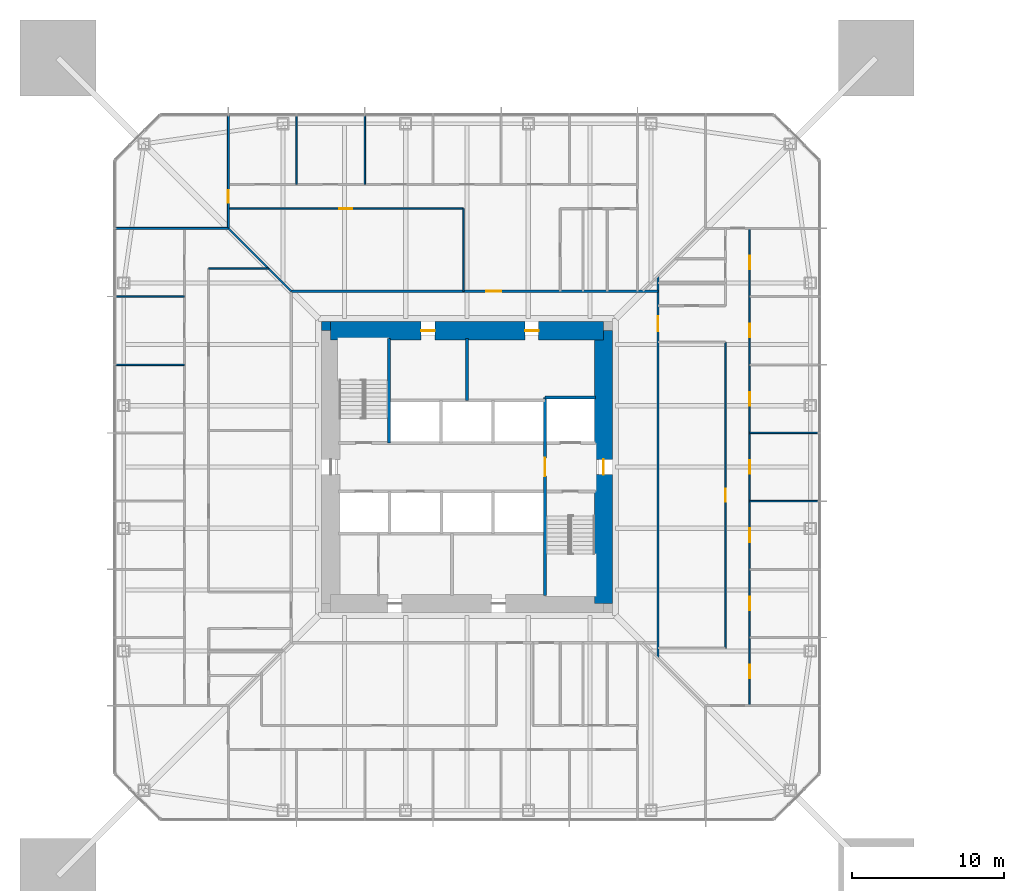
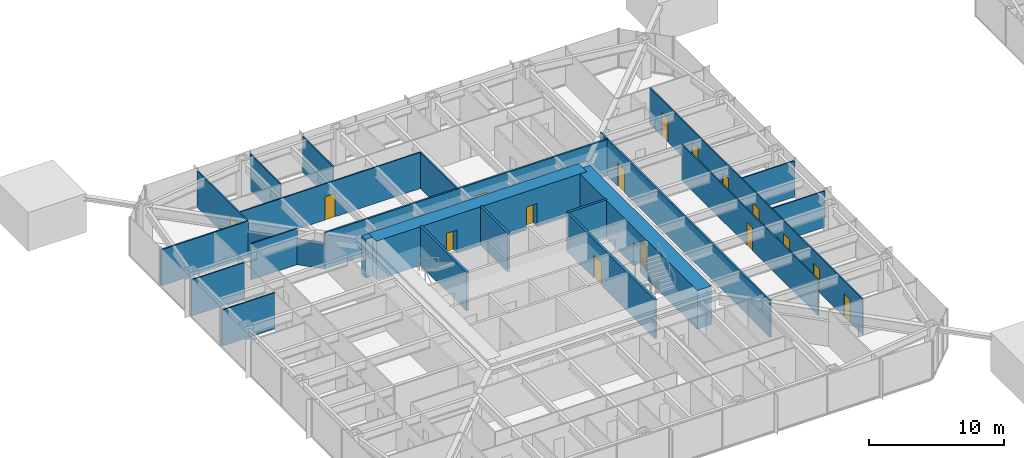
# One storey, part 16 of 26: 23 walls, 16 doors, 16 openings.
"""IFC4 building model written with IfcOpenShell, lengths in metres."""

from ifc_helpers import new_model, si_unit, direction, frame, frame_2d, origin, place, context, subcontext, project, spatial, rectangle, extrude, material, layer, layer_set, type_object, element, fill, save


model = new_model("IFC4")

# Units and contexts
model_context = context("Model", 3, precision=1e-05, world=origin(), true_north=direction((0.0, 1.0)))
body_context = subcontext(model_context, "Body", "Model", "MODEL_VIEW")
ifc_project = project(units=[si_unit("LENGTHUNIT", "METRE"), si_unit("AREAUNIT", "SQUARE_METRE"), si_unit("VOLUMEUNIT", "CUBIC_METRE"), si_unit("PLANEANGLEUNIT", "RADIAN"), si_unit("MASSUNIT", "GRAM", prefix="KILO")], contexts=[model_context])

# Site, building, storey
site_placement = place(None, origin())
site = spatial("IfcSite", under=ifc_project, at=site_placement, CompositionType="ELEMENT")
building_placement = place(site_placement, origin())
building = spatial("IfcBuilding", under=site, at=building_placement, Name="Iwan Alto Co-Living Towers", CompositionType="ELEMENT")
storey_placement = place(building_placement, frame((0.0, 0.0, 32.5)))
storey = spatial("IfcBuildingStorey", under=building, at=storey_placement, Name="L08", CompositionType="ELEMENT", Elevation=32.5)

# Wall, opening, door
ifc_material_1 = material(Name="Gypsum board")
ifc_layer_1 = layer(ifc_material_1, 0.02490234375, Name="Board", Category="Finish")
ifc_material_2 = material(Name="Steel ASTM A1003 ST33H cold-formed studs", Category="steel")
ifc_layer_2 = layer(ifc_material_2, 0.10009765625, Name="Studs", Category="Framing")
ifc_layer_3 = layer(ifc_material_1, 0.02490234375, Name="Board", Category="Finish")
ifc_layer_set_1 = layer_set([ifc_layer_1, ifc_layer_2, ifc_layer_3], Name="CORRIDOR WALL 150")
wall_type_1 = type_object("IfcWallType", Name="CORRIDOR WALL 150", PredefinedType="PARTITIONING", material=ifc_layer_set_1)
wall_1_placement = place(storey_placement, frame((-11.60009765625, 11.60009765625, 0.0), z_axis=(0.0, 0.0, 1.0), x_axis=(1.0, 0.0, 0.0)))
wall_1 = element("IfcWall", 1, at=wall_1_placement, inside=storey, type_object=wall_type_1, Name="Partition L08", PredefinedType="PARTITIONING", context=body_context, shape_type="SweptSolid", body=[
    extrude(rectangle(XDim=24.2001953125, YDim=0.14990234375, at=frame_2d((12.10009765625, 0.0))), origin(), (0.0, 0.0, 1.0), 3.27001953125),
])
opening_1_placement = place(wall_1_placement, frame((12.85498046875, 0.0, 0.0)))
opening_1 = element("IfcOpeningElement", 2, at=opening_1_placement, cuts=wall_1, Name="Opening D3", PredefinedType="OPENING", context=body_context, shape_type="SweptSolid", body=[
    extrude(rectangle(XDim=1.0, YDim=2.10009765625, at=frame_2d((0.5, 1.050048828125))), frame((0.0, 0.0849609375, 0.0), z_axis=(0.0, -1.0, 0.0), x_axis=(1.0, 0.0, 0.0)), (0.0, 0.0, 1.0), 0.169921875),
])
ifc_material_3 = material(Name="Steel frame with timber leaf", Category="steel")
door_type_1 = type_object("IfcDoorType", Name="FLAT ENTRANCE DOOR FD30S 1000X2100", OperationType="SINGLE_SWING_LEFT", PredefinedType="DOOR", material=ifc_material_3)
door_1_placement = place(opening_1_placement, origin())
door_1 = element("IfcDoor", 3, at=door_1_placement, inside=storey, type_object=door_type_1, Name="Cluster lounge and shared kitchen door L08", OperationType="SINGLE_SWING_LEFT", OverallHeight=2.10009765625, OverallWidth=1.0, PredefinedType="DOOR", context=body_context, shape_type="SweptSolid", body=[
    extrude(rectangle(XDim=1.0, YDim=2.10009765625, at=frame_2d((0.5, 1.050048828125))), frame((0.0, 0.02490234375, 0.0), z_axis=(0.0, -1.0, 0.0), x_axis=(1.0, 0.0, 0.0)), (0.0, 0.0, 1.0), 0.050048828125),
])
fill(opening_1, door_1)

wall_2_placement = place(storey_placement, frame((12.60009765625, -12.60009765625, 0.0), z_axis=(0.0, 0.0, 1.0), x_axis=(0.0, 1.0, 0.0)))
wall_2 = element("IfcWall", 4, at=wall_2_placement, inside=storey, type_object=wall_type_1, Name="Partition L08", PredefinedType="PARTITIONING", context=body_context, shape_type="SweptSolid", body=[
    extrude(rectangle(XDim=25.2001953125, YDim=0.14990234375, at=frame_2d((12.60009765625, 0.0))), origin(), (0.0, 0.0, 1.0), 3.27001953125),
])
opening_2_placement = place(wall_2_placement, frame((21.550048828125, 0.0, 0.0)))
opening_2 = element("IfcOpeningElement", 5, at=opening_2_placement, cuts=wall_2, Name="Opening D3", PredefinedType="OPENING", context=body_context, shape_type="SweptSolid", body=[
    extrude(rectangle(XDim=1.0, YDim=2.10009765625, at=frame_2d((0.5, 1.050048828125))), frame((0.0, 0.0849609375, 0.0), z_axis=(0.0, -1.0, 0.0), x_axis=(1.0, 0.0, 0.0)), (0.0, 0.0, 1.0), 0.169921875),
])
door_2_placement = place(opening_2_placement, frame((1.0, 0.0, 0.0), z_axis=(0.0, 0.0, 1.0), x_axis=(-1.0, 0.0, 0.0)))
door_2 = element("IfcDoor", 6, at=door_2_placement, inside=storey, type_object=door_type_1, Name="Cluster lounge door L08", OperationType="SINGLE_SWING_RIGHT", OverallHeight=2.10009765625, OverallWidth=1.0, PredefinedType="DOOR", context=body_context, shape_type="SweptSolid", body=[
    extrude(rectangle(XDim=1.0, YDim=2.10009765625, at=frame_2d((0.5, 1.050048828125))), frame((0.0, 0.02490234375, 0.0), z_axis=(0.0, -1.0, 0.0), x_axis=(1.0, 0.0, 0.0)), (0.0, 0.0, 1.0), 0.050048828125),
])
fill(opening_2, door_2)

# Walls
ifc_layer_4 = layer(ifc_material_1, 0.012451171875, Name="Board", Category="Finish")
ifc_layer_5 = layer(ifc_material_2, 0.074951171875, Name="Studs", Category="Framing")
ifc_layer_6 = layer(ifc_material_1, 0.012451171875, Name="Board", Category="Finish")
ifc_layer_set_2 = layer_set([ifc_layer_4, ifc_layer_5, ifc_layer_6], Name="PARTITION 100")
wall_type_2 = type_object("IfcWallType", Name="PARTITION 100", PredefinedType="PARTITIONING", material=ifc_layer_set_2)
for number, where, z_axis, x_axis, name in (
    (7, (18.64990234375, -2.25, 0.0), (0.0, 0.0, 1.0), (1.0, 0.0, 0.0), "Partition L08"),
    (8, (18.64990234375, 2.25, 0.0), (0.0, 0.0, 1.0), (1.0, 0.0, 0.0), "Partition L08"),
    (9, (-23.18994140625, 6.75, 0.0), (0.0, 0.0, 1.0), (1.0, 0.0, 0.0), "Partition L08"),
    (10, (-23.18994140625, 11.25, 0.0), (0.0, 0.0, 1.0), (1.0, 0.0, 0.0), "Partition L08"),
):
    element("IfcWall", number, at=place(storey_placement, frame(where, z_axis=z_axis, x_axis=x_axis)), inside=storey, type_object=wall_type_2, Name=name, PredefinedType="PARTITIONING", context=body_context, shape_type="SweptSolid", body=[
        extrude(rectangle(XDim=4.5400390625, YDim=0.10009765625, at=frame_2d((2.27001953125, 0.0))), origin(), (0.0, 0.0, 1.0), 3.27001953125),
    ])
wall_3_placement = place(storey_placement, frame((-17.050048828125, 13.090087890625, 0.0), z_axis=(0.0, 0.0, 1.0), x_axis=(1.0, 0.0, 0.0)))
element("IfcWall", 11, at=wall_3_placement, inside=storey, type_object=wall_type_2, Name="Partition L08", PredefinedType="PARTITIONING", context=body_context, shape_type="SweptSolid", body=[
    extrude(rectangle(XDim=3.9599609375, YDim=0.10009765625, at=frame_2d((1.97998046875, 0.0))), origin(), (0.0, 0.0, 1.0), 3.27001953125),
])

# Wall, opening, door
wall_4_placement = place(storey_placement, frame((-15.75, 17.050048828125, 0.0), z_axis=(0.0, 0.0, 1.0), x_axis=(1.0, 0.0, 0.0)))
wall_4 = element("IfcWall", 12, at=wall_4_placement, inside=storey, type_object=wall_type_2, Name="Partition L08", PredefinedType="PARTITIONING", context=body_context, shape_type="SweptSolid", body=[
    extrude(rectangle(XDim=15.510009765625, YDim=0.10009765625, at=frame_2d((7.7548828125, 0.0))), origin(), (0.0, 0.0, 1.0), 3.27001953125),
])
opening_3_placement = place(wall_4_placement, frame((7.330078125, 0.0, 0.0)))
opening_3 = element("IfcOpeningElement", 13, at=opening_3_placement, cuts=wall_4, Name="Opening D2", PredefinedType="OPENING", context=body_context, shape_type="SweptSolid", body=[
    extrude(rectangle(XDim=0.85009765625, YDim=2.10009765625, at=frame_2d((0.425048828125, 1.050048828125))), frame((0.0, 0.06005859375, 0.0), z_axis=(0.0, -1.0, 0.0), x_axis=(1.0, 0.0, 0.0)), (0.0, 0.0, 1.0), 0.1201171875),
])
ifc_material_4 = material(Name="Timber leaf in steel frame", Category="steel")
door_type_2 = type_object("IfcDoorType", Name="ROOM DOOR 850X2100", OperationType="SINGLE_SWING_LEFT", PredefinedType="DOOR", material=ifc_material_4)
door_3_placement = place(opening_3_placement, origin())
door_3 = element("IfcDoor", 14, at=door_3_placement, inside=storey, type_object=door_type_2, Name="Study lounge door L08", OperationType="SINGLE_SWING_LEFT", OverallHeight=2.10009765625, OverallWidth=0.85009765625, PredefinedType="DOOR", context=body_context, shape_type="SweptSolid", body=[
    extrude(rectangle(XDim=0.85009765625, YDim=2.10009765625, at=frame_2d((0.425048828125, 1.050048828125))), frame((0.0, 0.02490234375, 0.0), z_axis=(0.0, -1.0, 0.0), x_axis=(1.0, 0.0, 0.0)), (0.0, 0.0, 1.0), 0.050048828125),
])
fill(opening_3, door_3)

# Wall, openings, doors
wall_5_placement = place(storey_placement, frame((18.64990234375, -15.75, 0.0), z_axis=(0.0, 0.0, 1.0), x_axis=(0.0, 1.0, 0.0)))
wall_5 = element("IfcWall", 15, at=wall_5_placement, inside=storey, type_object=wall_type_2, Name="Partition L08", PredefinedType="PARTITIONING", context=body_context, shape_type="SweptSolid", body=[
    extrude(rectangle(XDim=31.5, YDim=0.10009765625, at=frame_2d((15.75, 0.0))), origin(), (0.0, 0.0, 1.0), 3.27001953125),
])
opening_4_placement = place(wall_5_placement, frame((1.800048828125, 0.0, 0.0)))
opening_4 = element("IfcOpeningElement", 16, at=opening_4_placement, cuts=wall_5, Name="Opening D1", PredefinedType="OPENING", context=body_context, shape_type="SweptSolid", body=[
    extrude(rectangle(XDim=0.89990234375, YDim=2.10009765625, at=frame_2d((0.449951171875, 1.050048828125))), frame((0.0, 0.06005859375, 0.0), z_axis=(0.0, -1.0, 0.0), x_axis=(1.0, 0.0, 0.0)), (0.0, 0.0, 1.0), 0.1201171875),
])
opening_5_placement = place(wall_5_placement, frame((6.300048828125, 0.0, 0.0)))
opening_5 = element("IfcOpeningElement", 17, at=opening_5_placement, cuts=wall_5, Name="Opening D1", PredefinedType="OPENING", context=body_context, shape_type="SweptSolid", body=[
    extrude(rectangle(XDim=0.89990234375, YDim=2.10009765625, at=frame_2d((0.449951171875, 1.050048828125))), frame((0.0, 0.06005859375, 0.0), z_axis=(0.0, -1.0, 0.0), x_axis=(1.0, 0.0, 0.0)), (0.0, 0.0, 1.0), 0.1201171875),
])
opening_6_placement = place(wall_5_placement, frame((10.800048828125, 0.0, 0.0)))
opening_6 = element("IfcOpeningElement", 18, at=opening_6_placement, cuts=wall_5, Name="Opening D1", PredefinedType="OPENING", context=body_context, shape_type="SweptSolid", body=[
    extrude(rectangle(XDim=0.89990234375, YDim=2.10009765625, at=frame_2d((0.449951171875, 1.050048828125))), frame((0.0, 0.06005859375, 0.0), z_axis=(0.0, -1.0, 0.0), x_axis=(1.0, 0.0, 0.0)), (0.0, 0.0, 1.0), 0.1201171875),
])
opening_7_placement = place(wall_5_placement, frame((15.300048828125, 0.0, 0.0)))
opening_7 = element("IfcOpeningElement", 19, at=opening_7_placement, cuts=wall_5, Name="Opening D1", PredefinedType="OPENING", context=body_context, shape_type="SweptSolid", body=[
    extrude(rectangle(XDim=0.89990234375, YDim=2.10009765625, at=frame_2d((0.449951171875, 1.050048828125))), frame((0.0, 0.06005859375, 0.0), z_axis=(0.0, -1.0, 0.0), x_axis=(1.0, 0.0, 0.0)), (0.0, 0.0, 1.0), 0.1201171875),
])
opening_8_placement = place(wall_5_placement, frame((19.800048828125, 0.0, 0.0)))
opening_8 = element("IfcOpeningElement", 20, at=opening_8_placement, cuts=wall_5, Name="Opening D1", PredefinedType="OPENING", context=body_context, shape_type="SweptSolid", body=[
    extrude(rectangle(XDim=0.89990234375, YDim=2.10009765625, at=frame_2d((0.449951171875, 1.050048828125))), frame((0.0, 0.06005859375, 0.0), z_axis=(0.0, -1.0, 0.0), x_axis=(1.0, 0.0, 0.0)), (0.0, 0.0, 1.0), 0.1201171875),
])
opening_9_placement = place(wall_5_placement, frame((24.300048828125, 0.0, 0.0)))
opening_9 = element("IfcOpeningElement", 21, at=opening_9_placement, cuts=wall_5, Name="Opening D1", PredefinedType="OPENING", context=body_context, shape_type="SweptSolid", body=[
    extrude(rectangle(XDim=0.89990234375, YDim=2.10009765625, at=frame_2d((0.449951171875, 1.050048828125))), frame((0.0, 0.06005859375, 0.0), z_axis=(0.0, -1.0, 0.0), x_axis=(1.0, 0.0, 0.0)), (0.0, 0.0, 1.0), 0.1201171875),
])
opening_10_placement = place(wall_5_placement, frame((28.800048828125, 0.0, 0.0)))
opening_10 = element("IfcOpeningElement", 22, at=opening_10_placement, cuts=wall_5, Name="Opening D1", PredefinedType="OPENING", context=body_context, shape_type="SweptSolid", body=[
    extrude(rectangle(XDim=0.89990234375, YDim=2.10009765625, at=frame_2d((0.449951171875, 1.050048828125))), frame((0.0, 0.06005859375, 0.0), z_axis=(0.0, -1.0, 0.0), x_axis=(1.0, 0.0, 0.0)), (0.0, 0.0, 1.0), 0.1201171875),
])
ifc_material_5 = material(Name="Timber leaf in steel frame", Category="steel")
door_type_3 = type_object("IfcDoorType", Name="BEDROOM DOOR 900X2100", OperationType="SINGLE_SWING_LEFT", PredefinedType="DOOR", material=ifc_material_5)
door_4_placement = place(opening_4_placement, origin())
door_4 = element("IfcDoor", 23, at=door_4_placement, inside=storey, type_object=door_type_3, Name="Study bedroom door L08", OperationType="SINGLE_SWING_LEFT", OverallHeight=2.10009765625, OverallWidth=0.89990234375, PredefinedType="DOOR", context=body_context, shape_type="SweptSolid", body=[
    extrude(rectangle(XDim=0.89990234375, YDim=2.10009765625, at=frame_2d((0.449951171875, 1.050048828125))), frame((0.0, 0.02490234375, 0.0), z_axis=(0.0, -1.0, 0.0), x_axis=(1.0, 0.0, 0.0)), (0.0, 0.0, 1.0), 0.050048828125),
])
fill(opening_4, door_4)
door_5_placement = place(opening_5_placement, origin())
door_5 = element("IfcDoor", 24, at=door_5_placement, inside=storey, type_object=door_type_3, Name="Study bedroom door L08", OperationType="SINGLE_SWING_LEFT", OverallHeight=2.10009765625, OverallWidth=0.89990234375, PredefinedType="DOOR", context=body_context, shape_type="SweptSolid", body=[
    extrude(rectangle(XDim=0.89990234375, YDim=2.10009765625, at=frame_2d((0.449951171875, 1.050048828125))), frame((0.0, 0.02490234375, 0.0), z_axis=(0.0, -1.0, 0.0), x_axis=(1.0, 0.0, 0.0)), (0.0, 0.0, 1.0), 0.050048828125),
])
fill(opening_5, door_5)
door_6_placement = place(opening_6_placement, origin())
door_6 = element("IfcDoor", 25, at=door_6_placement, inside=storey, type_object=door_type_3, Name="Study bedroom door L08", OperationType="SINGLE_SWING_LEFT", OverallHeight=2.10009765625, OverallWidth=0.89990234375, PredefinedType="DOOR", context=body_context, shape_type="SweptSolid", body=[
    extrude(rectangle(XDim=0.89990234375, YDim=2.10009765625, at=frame_2d((0.449951171875, 1.050048828125))), frame((0.0, 0.02490234375, 0.0), z_axis=(0.0, -1.0, 0.0), x_axis=(1.0, 0.0, 0.0)), (0.0, 0.0, 1.0), 0.050048828125),
])
fill(opening_6, door_6)
door_7_placement = place(opening_7_placement, origin())
door_7 = element("IfcDoor", 26, at=door_7_placement, inside=storey, type_object=door_type_3, Name="Study bedroom door L08", OperationType="SINGLE_SWING_LEFT", OverallHeight=2.10009765625, OverallWidth=0.89990234375, PredefinedType="DOOR", context=body_context, shape_type="SweptSolid", body=[
    extrude(rectangle(XDim=0.89990234375, YDim=2.10009765625, at=frame_2d((0.449951171875, 1.050048828125))), frame((0.0, 0.02490234375, 0.0), z_axis=(0.0, -1.0, 0.0), x_axis=(1.0, 0.0, 0.0)), (0.0, 0.0, 1.0), 0.050048828125),
])
fill(opening_7, door_7)
door_8_placement = place(opening_8_placement, origin())
door_8 = element("IfcDoor", 27, at=door_8_placement, inside=storey, type_object=door_type_3, Name="Study bedroom door L08", OperationType="SINGLE_SWING_RIGHT", OverallHeight=2.10009765625, OverallWidth=0.89990234375, PredefinedType="DOOR", context=body_context, shape_type="SweptSolid", body=[
    extrude(rectangle(XDim=0.89990234375, YDim=2.10009765625, at=frame_2d((0.449951171875, 1.050048828125))), frame((0.0, 0.02490234375, 0.0), z_axis=(0.0, -1.0, 0.0), x_axis=(1.0, 0.0, 0.0)), (0.0, 0.0, 1.0), 0.050048828125),
])
fill(opening_8, door_8)
door_9_placement = place(opening_9_placement, origin())
door_9 = element("IfcDoor", 28, at=door_9_placement, inside=storey, type_object=door_type_3, Name="Study bedroom door L08", OperationType="SINGLE_SWING_RIGHT", OverallHeight=2.10009765625, OverallWidth=0.89990234375, PredefinedType="DOOR", context=body_context, shape_type="SweptSolid", body=[
    extrude(rectangle(XDim=0.89990234375, YDim=2.10009765625, at=frame_2d((0.449951171875, 1.050048828125))), frame((0.0, 0.02490234375, 0.0), z_axis=(0.0, -1.0, 0.0), x_axis=(1.0, 0.0, 0.0)), (0.0, 0.0, 1.0), 0.050048828125),
])
fill(opening_9, door_9)
door_10_placement = place(opening_10_placement, origin())
door_10 = element("IfcDoor", 29, at=door_10_placement, inside=storey, type_object=door_type_3, Name="Study bedroom door L08", OperationType="SINGLE_SWING_RIGHT", OverallHeight=2.10009765625, OverallWidth=0.89990234375, PredefinedType="DOOR", context=body_context, shape_type="SweptSolid", body=[
    extrude(rectangle(XDim=0.89990234375, YDim=2.10009765625, at=frame_2d((0.449951171875, 1.050048828125))), frame((0.0, 0.02490234375, 0.0), z_axis=(0.0, -1.0, 0.0), x_axis=(1.0, 0.0, 0.0)), (0.0, 0.0, 1.0), 0.050048828125),
])
fill(opening_10, door_10)

# Wall, opening, door
wall_6_placement = place(storey_placement, frame((17.050048828125, -11.949951171875, 0.0), z_axis=(0.0, 0.0, 1.0), x_axis=(0.0, 1.0, 0.0)))
wall_6 = element("IfcWall", 30, at=wall_6_placement, inside=storey, type_object=wall_type_2, Name="Partition L08", PredefinedType="PARTITIONING", context=body_context, shape_type="SweptSolid", body=[
    extrude(rectangle(XDim=20.199951171875, YDim=0.10009765625, at=frame_2d((10.10009765625, 0.0))), origin(), (0.0, 0.0, 1.0), 3.27001953125),
])
opening_11_placement = place(wall_6_placement, frame((9.675048828125, 0.0, 0.0)))
opening_11 = element("IfcOpeningElement", 31, at=opening_11_placement, cuts=wall_6, Name="Opening D2", PredefinedType="OPENING", context=body_context, shape_type="SweptSolid", body=[
    extrude(rectangle(XDim=0.85009765625, YDim=2.10009765625, at=frame_2d((0.425048828125, 1.050048828125))), frame((0.0, 0.06005859375, 0.0), z_axis=(0.0, -1.0, 0.0), x_axis=(1.0, 0.0, 0.0)), (0.0, 0.0, 1.0), 0.1201171875),
])
door_11_placement = place(opening_11_placement, origin())
door_11 = element("IfcDoor", 32, at=door_11_placement, inside=storey, type_object=door_type_2, Name="Study lounge door L08", OperationType="SINGLE_SWING_LEFT", OverallHeight=2.10009765625, OverallWidth=0.85009765625, PredefinedType="DOOR", context=body_context, shape_type="SweptSolid", body=[
    extrude(rectangle(XDim=0.85009765625, YDim=2.10009765625, at=frame_2d((0.425048828125, 1.050048828125))), frame((0.0, 0.02490234375, 0.0), z_axis=(0.0, -1.0, 0.0), x_axis=(1.0, 0.0, 0.0)), (0.0, 0.0, 1.0), 0.050048828125),
])
fill(opening_11, door_11)

# Walls
wall_7_placement = place(storey_placement, frame((-0.239990234375, 11.60009765625, 0.0), z_axis=(0.0, 0.0, 1.0), x_axis=(0.0, 1.0, 0.0)))
element("IfcWall", 33, at=wall_7_placement, inside=storey, type_object=wall_type_2, Name="Partition L08", PredefinedType="PARTITIONING", context=body_context, shape_type="SweptSolid", body=[
    extrude(rectangle(XDim=5.449951171875, YDim=0.10009765625, at=frame_2d((2.72509765625, 0.0))), origin(), (0.0, 0.0, 1.0), 3.27001953125),
])
for number, where, z_axis, x_axis, name in (
    (34, (-6.75, 18.64990234375, 0.0), (0.0, 0.0, 1.0), (0.0, 1.0, 0.0), "Partition L08"),
    (35, (-11.25, 18.64990234375, 0.0), (0.0, 0.0, 1.0), (0.0, 1.0, 0.0), "Partition L08"),
):
    element("IfcWall", number, at=place(storey_placement, frame(where, z_axis=z_axis, x_axis=x_axis)), inside=storey, type_object=wall_type_2, Name=name, PredefinedType="PARTITIONING", context=body_context, shape_type="SweptSolid", body=[
        extrude(rectangle(XDim=4.5400390625, YDim=0.10009765625, at=frame_2d((2.27001953125, 0.0))), origin(), (0.0, 0.0, 1.0), 3.27001953125),
    ])
wall_8_placement = place(storey_placement, frame((-11.60009765625, 11.60009765625, 0.0), z_axis=(0.0, 0.0, 1.0), x_axis=(-0.707106781187, 0.707106781187, 0.0)))
element("IfcWall", 36, at=wall_8_placement, inside=storey, type_object=wall_type_2, Name="Partition L08", PredefinedType="PARTITIONING", context=body_context, shape_type="SweptSolid", body=[
    extrude(rectangle(XDim=5.868896484375, YDim=0.10009765625, at=frame_2d((2.9345703125, 0.0))), origin(), (0.0, 0.0, 1.0), 2.343017578125),
])
ifc_material_6 = material(Name="Concrete f'c 70 MPa", Category="concrete")
ifc_layer_7 = layer(ifc_material_6, 0.199951171875)
ifc_layer_set_3 = layer_set([ifc_layer_7], Name="SHAFT WALL 200")
wall_type_3 = type_object("IfcWallType", Name="SHAFT WALL 200", PredefinedType="SOLIDWALL", material=ifc_layer_set_3)
wall_9_placement = place(storey_placement, frame((5.14990234375, 4.60009765625, 0.0), z_axis=(0.0, 0.0, 1.0), x_axis=(1.0, 0.0, 0.0)))
element("IfcWall", 37, at=wall_9_placement, inside=storey, type_object=wall_type_3, Name="Shaft wall L08", PredefinedType="SOLIDWALL", context=body_context, shape_type="SweptSolid", body=[
    extrude(rectangle(XDim=3.340087890625, YDim=0.199951171875, at=frame_2d((1.669921875, 0.0))), origin(), (0.0, 0.0, 1.0), 3.5),
])

# Wall, opening, door
wall_10_placement = place(storey_placement, frame((5.14990234375, -8.489990234375, 0.0), z_axis=(0.0, 0.0, 1.0), x_axis=(0.0, 1.0, 0.0)))
wall_10 = element("IfcWall", 38, at=wall_10_placement, inside=storey, type_object=wall_type_3, Name="Shaft wall L08", PredefinedType="SOLIDWALL", context=body_context, shape_type="SweptSolid", body=[
    extrude(rectangle(XDim=13.090087890625, YDim=0.199951171875, at=frame_2d((6.544921875, 0.0))), origin(), (0.0, 0.0, 1.0), 3.5),
])
opening_12_placement = place(wall_10_placement, frame((7.889892578125, 0.0, 0.0)))
opening_12 = element("IfcOpeningElement", 39, at=opening_12_placement, cuts=wall_10, Name="Opening D6", PredefinedType="OPENING", context=body_context, shape_type="SweptSolid", body=[
    extrude(rectangle(XDim=1.199951171875, YDim=2.10009765625, at=frame_2d((0.60009765625, 1.050048828125))), frame((0.0, 0.10986328125, 0.0), z_axis=(0.0, -1.0, 0.0), x_axis=(1.0, 0.0, 0.0)), (0.0, 0.0, 1.0), 0.219970703125),
])
ifc_material_7 = material(Name="Steel frame with timber leaf", Category="steel")
door_type_4 = type_object("IfcDoorType", Name="LOBBY DOOR FD120S 1200X2100", OperationType="SINGLE_SWING_LEFT", PredefinedType="DOOR", material=ifc_material_7)
door_12_placement = place(opening_12_placement, frame((1.199951171875, 0.0, 0.0), z_axis=(0.0, 0.0, 1.0), x_axis=(-1.0, 0.0, 0.0)))
door_12 = element("IfcDoor", 40, at=door_12_placement, inside=storey, type_object=door_type_4, Name="Firefighting lobby door L08", OperationType="SINGLE_SWING_RIGHT", OverallHeight=2.10009765625, OverallWidth=1.199951171875, PredefinedType="DOOR", context=body_context, shape_type="SweptSolid", body=[
    extrude(rectangle(XDim=1.199951171875, YDim=2.10009765625, at=frame_2d((0.60009765625, 1.050048828125))), frame((0.0, 0.02490234375, 0.0), z_axis=(0.0, -1.0, 0.0), x_axis=(1.0, 0.0, 0.0)), (0.0, 0.0, 1.0), 0.050048828125),
])
fill(opening_12, door_12)

# Walls
wall_11_placement = place(storey_placement, frame((0.0, 4.39990234375, 0.0), z_axis=(0.0, 0.0, 1.0), x_axis=(0.0, 1.0, 0.0)))
element("IfcWall", 41, at=wall_11_placement, inside=storey, type_object=wall_type_3, Name="Shaft wall L08", PredefinedType="SOLIDWALL", context=body_context, shape_type="SweptSolid", body=[
    extrude(rectangle(XDim=4.090087890625, YDim=0.199951171875, at=frame_2d((2.044921875, 0.0))), origin(), (0.0, 0.0, 1.0), 3.5),
])
wall_12_placement = place(storey_placement, frame((-5.14990234375, 1.60009765625, 0.0), z_axis=(0.0, 0.0, 1.0), x_axis=(0.0, 1.0, 0.0)))
element("IfcWall", 42, at=wall_12_placement, inside=storey, type_object=wall_type_3, Name="Shaft wall L08", PredefinedType="SOLIDWALL", context=body_context, shape_type="SweptSolid", body=[
    extrude(rectangle(XDim=6.889892578125, YDim=0.199951171875, at=frame_2d((3.44482421875, 0.0))), origin(), (0.0, 0.0, 1.0), 3.5),
])
ifc_material_8 = material(Name="Concrete f'c 70 MPa", Category="concrete")
ifc_layer_8 = layer(ifc_material_8, 0.60009765625)
ifc_layer_set_4 = layer_set([ifc_layer_8], Name="T1 CORE CORNER FILL 600")
wall_type_4 = type_object("IfcWallType", Name="T1 CORE CORNER FILL 600", PredefinedType="SOLIDWALL", material=ifc_layer_set_4)
wall_13_placement = place(storey_placement, frame((-9.60009765625, 9.300048828125, 0.0), z_axis=(0.0, 0.0, 1.0), x_axis=(1.0, 0.0, 0.0)))
element("IfcWall", 43, at=wall_13_placement, inside=storey, type_object=wall_type_4, Name="T1 core corner NW L08", PredefinedType="SOLIDWALL", context=body_context, shape_type="SweptSolid", body=[
    extrude(rectangle(XDim=0.60009765625, YDim=0.60009765625, at=frame_2d((0.300048828125, 0.0))), origin(), (0.0, 0.0, 1.0), 3.5),
])

# Wall, openings, doors
ifc_material_9 = material(Name="Concrete f'c 70 MPa", Category="concrete")
ifc_layer_9 = layer(ifc_material_9, 1.199951171875)
ifc_layer_set_5 = layer_set([ifc_layer_9], Name="T1 CORE WALL 1200")
wall_type_5 = type_object("IfcWallType", Name="T1 CORE WALL 1200", PredefinedType="SHEAR", material=ifc_layer_set_5)
wall_14_placement = place(storey_placement, frame((9.0, 9.0, 0.0), z_axis=(0.0, 0.0, 1.0), x_axis=(-1.0, 0.0, 0.0)))
wall_14 = element("IfcWall", 44, at=wall_14_placement, inside=storey, type_object=wall_type_5, Name="T1 core wall N L08", PredefinedType="SHEAR", context=body_context, shape_type="SweptSolid", body=[
    extrude(rectangle(XDim=18.0, YDim=1.199951171875, at=frame_2d((9.0, 0.0))), origin(), (0.0, 0.0, 1.0), 3.5),
])
opening_13_placement = place(wall_14_placement, frame((11.125, 0.0, 0.0)))
opening_13 = element("IfcOpeningElement", 45, at=opening_13_placement, cuts=wall_14, Name="Opening D8", PredefinedType="OPENING", context=body_context, shape_type="SweptSolid", body=[
    extrude(rectangle(XDim=0.89990234375, YDim=2.10009765625, at=frame_2d((0.449951171875, 1.050048828125))), frame((0.0, 0.60986328125, 0.0), z_axis=(0.0, -1.0, 0.0), x_axis=(1.0, 0.0, 0.0)), (0.0, 0.0, 1.0), 1.219970703125),
])
opening_14_placement = place(wall_14_placement, frame((4.27490234375, 0.0, 0.0)))
opening_14 = element("IfcOpeningElement", 46, at=opening_14_placement, cuts=wall_14, Name="Opening D8", PredefinedType="OPENING", context=body_context, shape_type="SweptSolid", body=[
    extrude(rectangle(XDim=0.89990234375, YDim=2.10009765625, at=frame_2d((0.449951171875, 1.050048828125))), frame((0.0, 0.60986328125, 0.0), z_axis=(0.0, -1.0, 0.0), x_axis=(1.0, 0.0, 0.0)), (0.0, 0.0, 1.0), 1.219970703125),
])
ifc_material_10 = material(Name="Steel frame with timber leaf", Category="steel")
door_type_5 = type_object("IfcDoorType", Name="RISER DOOR FD120 900X2100", OperationType="SINGLE_SWING_LEFT", PredefinedType="DOOR", material=ifc_material_10)
door_13_placement = place(opening_13_placement, origin())
door_13 = element("IfcDoor", 47, at=door_13_placement, inside=storey, type_object=door_type_5, Name="Electrical riser core door L08", OperationType="SINGLE_SWING_RIGHT", OverallHeight=2.10009765625, OverallWidth=0.89990234375, PredefinedType="DOOR", context=body_context, shape_type="SweptSolid", body=[
    extrude(rectangle(XDim=0.89990234375, YDim=2.10009765625, at=frame_2d((0.449951171875, 1.050048828125))), frame((0.0, 0.02490234375, 0.0), z_axis=(0.0, -1.0, 0.0), x_axis=(1.0, 0.0, 0.0)), (0.0, 0.0, 1.0), 0.050048828125),
])
fill(opening_13, door_13)
door_14_placement = place(opening_14_placement, origin())
door_14 = element("IfcDoor", 48, at=door_14_placement, inside=storey, type_object=door_type_5, Name="Water and drainage riser core door L08", OperationType="SINGLE_SWING_RIGHT", OverallHeight=2.10009765625, OverallWidth=0.89990234375, PredefinedType="DOOR", context=body_context, shape_type="SweptSolid", body=[
    extrude(rectangle(XDim=0.89990234375, YDim=2.10009765625, at=frame_2d((0.449951171875, 1.050048828125))), frame((0.0, 0.02490234375, 0.0), z_axis=(0.0, -1.0, 0.0), x_axis=(1.0, 0.0, 0.0)), (0.0, 0.0, 1.0), 0.050048828125),
])
fill(opening_14, door_14)

# Wall, opening, door
wall_15_placement = place(storey_placement, frame((9.0, -9.0, 0.0), z_axis=(0.0, 0.0, 1.0), x_axis=(0.0, 1.0, 0.0)))
wall_15 = element("IfcWall", 49, at=wall_15_placement, inside=storey, type_object=wall_type_5, Name="T1 core wall E L08", PredefinedType="SHEAR", context=body_context, shape_type="SweptSolid", body=[
    extrude(rectangle(XDim=18.0, YDim=1.199951171875, at=frame_2d((9.0, 0.0))), origin(), (0.0, 0.0, 1.0), 3.5),
])
opening_15_placement = place(wall_15_placement, frame((8.5, 0.0, 0.0)))
opening_15 = element("IfcOpeningElement", 50, at=opening_15_placement, cuts=wall_15, Name="Opening D7", PredefinedType="OPENING", context=body_context, shape_type="SweptSolid", body=[
    extrude(rectangle(XDim=1.0, YDim=2.10009765625, at=frame_2d((0.5, 1.050048828125))), frame((0.0, 0.60986328125, 0.0), z_axis=(0.0, -1.0, 0.0), x_axis=(1.0, 0.0, 0.0)), (0.0, 0.0, 1.0), 1.219970703125),
])
ifc_material_11 = material(Name="Steel frame with timber leaf", Category="steel")
door_type_6 = type_object("IfcDoorType", Name="CORE DOOR FD120S 1000X2100", OperationType="SINGLE_SWING_LEFT", PredefinedType="DOOR", material=ifc_material_11)
door_15_placement = place(opening_15_placement, origin())
door_15 = element("IfcDoor", 51, at=door_15_placement, inside=storey, type_object=door_type_6, Name="Firefighting lobby core door L08", OperationType="SINGLE_SWING_LEFT", OverallHeight=2.10009765625, OverallWidth=1.0, PredefinedType="DOOR", context=body_context, shape_type="SweptSolid", body=[
    extrude(rectangle(XDim=1.0, YDim=2.10009765625, at=frame_2d((0.5, 1.050048828125))), frame((0.0, 0.02490234375, 0.0), z_axis=(0.0, -1.0, 0.0), x_axis=(1.0, 0.0, 0.0)), (0.0, 0.0, 1.0), 0.050048828125),
])
fill(opening_15, door_15)

# Wall
ifc_material_12 = material(Name="Cement board")
ifc_layer_10 = layer(ifc_material_12, 0.012451171875, Name="Board", Category="Finish")
ifc_layer_11 = layer(ifc_material_2, 0.094970703125, Name="Studs", Category="Framing")
ifc_layer_12 = layer(ifc_material_12, 0.012451171875, Name="Board", Category="Finish")
ifc_layer_set_6 = layer_set([ifc_layer_10, ifc_layer_11, ifc_layer_12], Name="WET AREA PARTITION 120")
wall_type_6 = type_object("IfcWallType", Name="WET AREA PARTITION 120", PredefinedType="PARTITIONING", material=ifc_layer_set_6)
wall_16_placement = place(storey_placement, frame((-23.18994140625, 15.75, 0.0), z_axis=(0.0, 0.0, 1.0), x_axis=(1.0, 0.0, 0.0)))
element("IfcWall", 52, at=wall_16_placement, inside=storey, type_object=wall_type_6, Name="Partition L08", PredefinedType="PARTITIONING", context=body_context, shape_type="SweptSolid", body=[
    extrude(rectangle(XDim=7.43994140625, YDim=0.1201171875, at=frame_2d((3.719970703125, 0.0))), origin(), (0.0, 0.0, 1.0), 3.27001953125),
])

# Wall, opening, door
wall_17_placement = place(storey_placement, frame((-15.75, 15.75, 0.0), z_axis=(0.0, 0.0, 1.0), x_axis=(0.0, 1.0, 0.0)))
wall_17 = element("IfcWall", 53, at=wall_17_placement, inside=storey, type_object=wall_type_6, Name="Partition L08", PredefinedType="PARTITIONING", context=body_context, shape_type="SweptSolid", body=[
    extrude(rectangle(XDim=7.43994140625, YDim=0.1201171875, at=frame_2d((3.719970703125, 0.0))), origin(), (0.0, 0.0, 1.0), 3.27001953125),
])
opening_16_placement = place(wall_17_placement, frame((1.675048828125, 0.0, 0.0)))
opening_16 = element("IfcOpeningElement", 54, at=opening_16_placement, cuts=wall_17, Name="Opening D2", PredefinedType="OPENING", context=body_context, shape_type="SweptSolid", body=[
    extrude(rectangle(XDim=0.85009765625, YDim=2.10009765625, at=frame_2d((0.425048828125, 1.050048828125))), frame((0.0, 0.070068359375, 0.0), z_axis=(0.0, -1.0, 0.0), x_axis=(1.0, 0.0, 0.0)), (0.0, 0.0, 1.0), 0.14013671875),
])
door_16_placement = place(opening_16_placement, frame((0.85009765625, 0.0, 0.0), z_axis=(0.0, 0.0, 1.0), x_axis=(-1.0, 0.0, 0.0)))
door_16 = element("IfcDoor", 55, at=door_16_placement, inside=storey, type_object=door_type_2, Name="Central laundry and drying room door L08", OperationType="SINGLE_SWING_RIGHT", OverallHeight=2.10009765625, OverallWidth=0.85009765625, PredefinedType="DOOR", context=body_context, shape_type="SweptSolid", body=[
    extrude(rectangle(XDim=0.85009765625, YDim=2.10009765625, at=frame_2d((0.425048828125, 1.050048828125))), frame((0.0, 0.02490234375, 0.0), z_axis=(0.0, -1.0, 0.0), x_axis=(1.0, 0.0, 0.0)), (0.0, 0.0, 1.0), 0.050048828125),
])
fill(opening_16, door_16)

save(model, "model.ifc")
